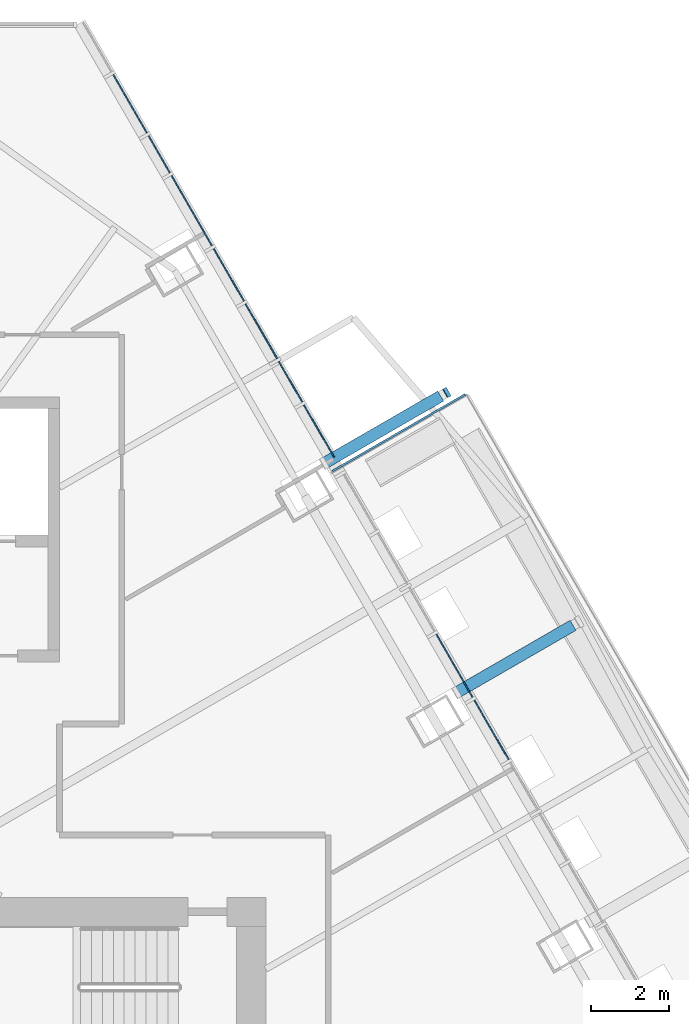
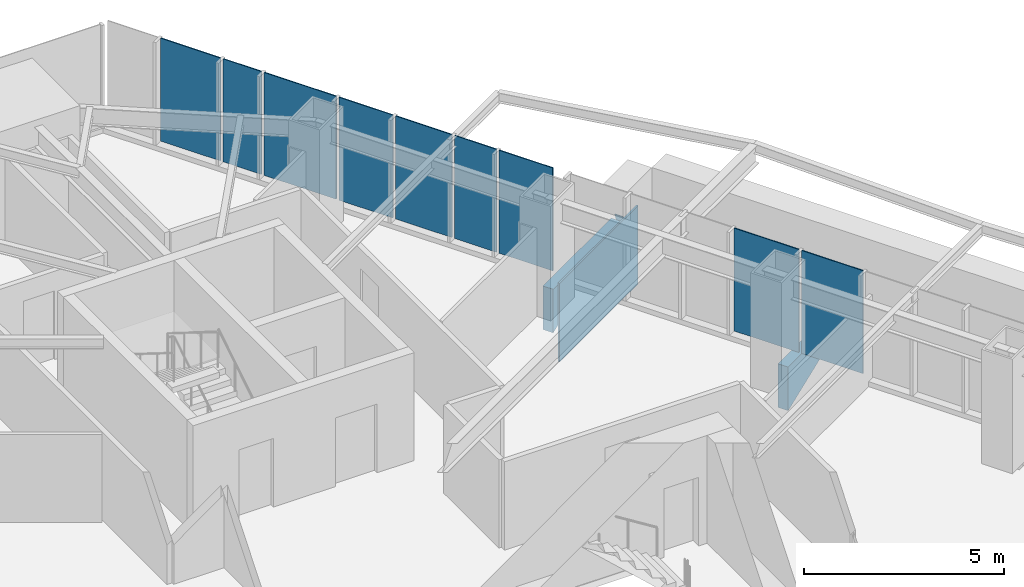
# One storey, part 9 of 17: 13 plates, 1 element without a shape of its own.
"""IFC4 building model written with IfcOpenShell, lengths in metres."""

from ifc_helpers import new_model, si_unit, direction, frame, origin, place, context, subcontext, project, spatial, polyline, outline, extrude, material, layer, layer_set, type_object, element, aggregate, save


model = new_model("IFC4")

# Units and contexts
model_context = context("Model", 3, precision=1e-05, world=origin(), true_north=direction((0.0, 1.0)))
body_context = subcontext(model_context, "Body", "Model", "MODEL_VIEW")
ifc_project = project(units=[si_unit("LENGTHUNIT", "METRE"), si_unit("AREAUNIT", "SQUARE_METRE"), si_unit("VOLUMEUNIT", "CUBIC_METRE"), si_unit("PLANEANGLEUNIT", "RADIAN"), si_unit("MASSUNIT", "GRAM", prefix="KILO")], contexts=[model_context])

# Site, building, storey
site_placement = place(None, origin())
site = spatial("IfcSite", under=ifc_project, at=site_placement, CompositionType="ELEMENT")
building_placement = place(site_placement, origin())
building = spatial("IfcBuilding", under=site, at=building_placement, Name="Firuza Gate Tower and Library", CompositionType="ELEMENT")
storey_placement = place(building_placement, frame((0.0, 0.0, 263.60009765625)))
storey = spatial("IfcBuildingStorey", under=building, at=storey_placement, Name="L62", CompositionType="ELEMENT", Elevation=263.60009765625)

# Curtain wall, plates
ifc_material_1 = material(Name="Aluminium 6063-T6", Category="aluminium")
ifc_layer_1 = layer(ifc_material_1, 0.14990234375)
ifc_layer_set_1 = layer_set([ifc_layer_1], Name="Unitised curtain wall, residences")
curtain_wall_type = type_object("IfcCurtainWallType", Name="Unitised curtain wall, residences", PredefinedType="NOTDEFINED", material=ifc_layer_set_1)
curtain_wall_placement = place(storey_placement, origin())
curtain_wall = element("IfcCurtainWall", 1, at=curtain_wall_placement, inside=storey, type_object=curtain_wall_type, Name="CW3 L62 E face", PredefinedType="NOTDEFINED")
ifc_material_2 = material(Name="Fritted glass", Category="glass")
ifc_layer_2 = layer(ifc_material_2, 0.030029296875)
ifc_layer_set_2 = layer_set([ifc_layer_2], Name="Fritted glass unit, residences")
plate_type_1 = type_object("IfcPlateType", Name="Fritted glass unit, residences", PredefinedType="CURTAIN_PANEL", material=ifc_layer_set_2)
plate_1_placement = place(storey_placement, frame((89.750732421875, 85.29248046875, 0.14990234375), z_axis=(0.865992557167, 0.500056887695, 0.0), x_axis=(-0.500056887695, 0.865992557167, 0.0)))
plate_1 = element("IfcPlate", 2, at=plate_1_placement, type_object=plate_type_1, Name="Glass unit", PredefinedType="CURTAIN_PANEL", context=body_context, shape_type="SweptSolid", body=[
    extrude(outline(polyline([(0.0, 0.0), (1.7693299437957317, 0.0), (1.7693299437957317, 3.14990234375), (0.0, 3.14990234375), (0.0, 0.0)])), origin(), (0.0, 0.0, -1.0), 0.030029296875),
])
plate_2_placement = place(storey_placement, frame((88.826171875, 86.89404296875, 0.14990234375), z_axis=(0.866014233227, 0.500019347474, 0.0), x_axis=(-0.500019347474, 0.866014233227, 0.0)))
plate_2 = element("IfcPlate", 3, at=plate_2_placement, type_object=plate_type_1, Name="Glass unit", PredefinedType="CURTAIN_PANEL", context=body_context, shape_type="SweptSolid", body=[
    extrude(outline(polyline([(0.0, 0.0), (1.8744391874215642, 0.0), (1.8744391874215642, 3.149902343750001), (0.0, 3.149902343750001), (0.0, 0.0)])), origin(), (0.0, 0.0, -1.0), 0.030029296875),
])
plate_3_placement = place(storey_placement, frame((85.264404296875, 93.063232421875, 0.14990234375), z_axis=(0.866025664929, 0.499999547685, 0.0), x_axis=(-0.499999547685, 0.866025664929, 0.0)))
plate_3 = element("IfcPlate", 4, at=plate_3_placement, type_object=plate_type_1, Name="Glass unit", PredefinedType="CURTAIN_PANEL", context=body_context, shape_type="SweptSolid", body=[
    extrude(outline(polyline([(0.0, 0.0), (1.5507826528855135, 0.0), (1.5507826528855135, 3.14990234375), (0.0, 3.14990234375), (0.0, 0.0)])), origin(), (0.0, 0.0, -1.0), 0.030029296875),
])
plate_4_placement = place(storey_placement, frame((82.95068359375, 97.0703125, 0.14990234375), z_axis=(0.866086524807, 0.499894120338, 0.0), x_axis=(-0.499894120338, 0.866086524807, 0.0)))
plate_4 = element("IfcPlate", 5, at=plate_4_placement, type_object=plate_type_1, Name="Glass unit", PredefinedType="CURTAIN_PANEL", context=body_context, shape_type="SweptSolid", body=[
    extrude(outline(polyline([(0.0, 0.0), (1.55941225133523, 0.0), (1.55941225133523, 3.149902343750001), (0.0, 3.149902343750001), (0.0, 0.0)])), origin(), (0.0, 0.0, -1.0), 0.030029296875),
])
plate_5_placement = place(storey_placement, frame((82.131103515625, 98.490234375, 0.14990234375), z_axis=(0.865992460177, 0.50005705566, 0.0), x_axis=(-0.50005705566, 0.865992460177, 0.0)))
plate_5 = element("IfcPlate", 6, at=plate_5_placement, type_object=plate_type_1, Name="Glass unit", PredefinedType="CURTAIN_PANEL", context=body_context, shape_type="SweptSolid", body=[
    extrude(outline(polyline([(0.0, 0.0), (2.0842348214615205, 0.0), (2.0842348214615205, 3.14990234375), (0.0, 3.14990234375), (0.0, 0.0)])), origin(), (0.0, 0.0, -1.0), 0.030029296875),
])
ifc_material_3 = material(Name="Glazed ceramic tile")
ifc_layer_3 = layer(ifc_material_3, 0.030029296875)
ifc_layer_set_3 = layer_set([ifc_layer_3], Name="Opaque ceramic panel, residences")
plate_type_2 = type_object("IfcPlateType", Name="Opaque ceramic panel, residences", PredefinedType="CURTAIN_PANEL", material=ifc_layer_set_3)
plate_6_placement = place(storey_placement, frame((84.448974609375, 94.4755859375, 0.14990234375), z_axis=(0.865983690264, 0.500072242978, 0.0), x_axis=(-0.500072242978, 0.865983690264, 0.0)))
plate_6 = element("IfcPlate", 7, at=plate_6_placement, type_object=plate_type_2, Name="Opaque ceramic panel", PredefinedType="CURTAIN_PANEL", context=body_context, shape_type="SweptSolid", body=[
    extrude(outline(polyline([(0.0, 0.0), (1.2083215082620369, 0.0), (1.2083215082620369, 3.14990234375), (0.0, 3.14990234375), (0.0, 0.0)])), origin(), (0.0, 0.0, -1.0), 0.030029296875),
])
plate_7_placement = place(storey_placement, frame((83.8046875, 95.591064453125, 0.14990234375), z_axis=(0.866075728337, 0.499912825186, 0.0), x_axis=(-0.499912825186, 0.866075728337, 0.0)))
plate_7 = element("IfcPlate", 8, at=plate_7_placement, type_object=plate_type_2, Name="Opaque ceramic panel", PredefinedType="CURTAIN_PANEL", context=body_context, shape_type="SweptSolid", body=[
    extrude(outline(polyline([(0.0, 0.0), (1.628213565928937, 0.0), (1.628213565928937, 3.14990234375), (0.0, 3.14990234375), (0.0, 0.0)])), origin(), (0.0, 0.0, -1.0), 0.030029296875),
])
plate_8_placement = place(storey_placement, frame((81.048828125, 100.364501953125, 0.14990234375), z_axis=(0.86609715799, 0.49987569747, 0.0), x_axis=(-0.49987569747, 0.86609715799, 0.0)))
plate_8 = element("IfcPlate", 9, at=plate_8_placement, type_object=plate_type_2, Name="Opaque ceramic panel", PredefinedType="CURTAIN_PANEL", context=body_context, shape_type="SweptSolid", body=[
    extrude(outline(polyline([(0.0, 0.0), (1.1033016301168894, 0.0), (1.1033016301168894, 3.14990234375), (0.0, 3.14990234375), (0.0, 0.0)])), origin(), (0.0, 0.0, -1.0), 0.030029296875),
])
plate_9_placement = place(storey_placement, frame((80.457275390625, 101.38916015625, 0.14990234375), z_axis=(0.866058917387, 0.499941948244, 0.0), x_axis=(-0.499941948244, 0.866058917387, 0.0)))
plate_9 = element("IfcPlate", 10, at=plate_9_placement, type_object=plate_type_2, Name="Opaque ceramic panel", PredefinedType="CURTAIN_PANEL", context=body_context, shape_type="SweptSolid", body=[
    extrude(outline(polyline([(0.0, 0.0), (1.7331113765661212, 0.0), (1.7331113765661212, 3.149902343750001), (0.0, 3.149902343750001), (0.0, 0.0)])), origin(), (0.0, 0.0, -1.0), 0.030029296875),
])
aggregate(curtain_wall, [plate_1, plate_2, plate_3, plate_6, plate_7, plate_4, plate_5, plate_8, plate_9])

# Plates
ifc_material_4 = material(Name="Steel S355", Category="steel")
ifc_layer_4 = layer(ifc_material_4, 0.02001953125)
ifc_layer_set_4 = layer_set([ifc_layer_4], Name="Strut end plate 254x254x20 Steel S355")
plate_type_3 = type_object("IfcPlateType", Name="Strut end plate 254x254x20 Steel S355", PredefinedType="SHEET", material=ifc_layer_set_4)
plate_10_placement = place(storey_placement, frame((88.177978515625, 94.5859375, -0.14453125), z_axis=(0.806901125776, 0.466139884535, 0.362800470323), x_axis=(-0.500174117741, 0.865924842088, -0.000140703284)))
element("IfcPlate", 11, at=plate_10_placement, inside=storey, type_object=plate_type_3, Name="Strut end plate L62 col:L61:E5", PredefinedType="SHEET", context=body_context, shape_type="SweptSolid", body=[
    extrude(outline(polyline([(0.0, 0.0), (0.2539767636587726, -1.3877787807814457e-17), (0.2541572749510669, -0.2538308005755046), (5.839847058015976e-05, -0.2539075153038704), (0.0, 0.0)])), origin(), (0.0, 0.0, -1.0), 0.02001953125),
])
ifc_material_5 = material(Name="Steel S355", Category="steel")
ifc_layer_5 = layer(ifc_material_5, 0.300048828125)
ifc_layer_set_5 = layer_set([ifc_layer_5], Name="Tray bracket web 300 Steel S355")
plate_type_4 = type_object("IfcPlateType", Name="Tray bracket web 300 Steel S355", PredefinedType="SHEET", material=ifc_layer_set_5)
plate_11_placement = place(storey_placement, frame((88.345947265625, 87.15087890625, -0.2001953125), z_axis=(-0.500081895979, 0.865978115955, 0.0), x_axis=(0.865978115955, 0.500081895979, 0.0)))
element("IfcPlate", 12, at=plate_11_placement, inside=storey, type_object=plate_type_4, Name="Tray bracket web L62 col:L61:E4", PredefinedType="SHEET", context=body_context, shape_type="SweptSolid", body=[
    extrude(outline(polyline([(0.0, 0.0), (3.429614038049955, 0.0), (0.0, 1.333984375), (0.0, 0.0)])), origin(), (0.0, 0.0, -1.0), 0.300048828125),
])
plate_12_placement = place(storey_placement, frame((84.946044921875, 93.0400390625, -0.2001953125), z_axis=(-0.49981490623, 0.866132241352, 0.0), x_axis=(0.866132241352, 0.49981490623, 0.0)))
element("IfcPlate", 13, at=plate_12_placement, inside=storey, type_object=plate_type_4, Name="Tray bracket web L62 col:L61:E5", PredefinedType="SHEET", context=body_context, shape_type="SweptSolid", body=[
    extrude(outline(polyline([(0.0, 0.0), (3.4290037494598873, 0.0), (0.0, 1.333984375), (0.0, 0.0)])), origin(), (0.0, 0.0, -1.0), 0.300048828125),
])
ifc_material_6 = material(Name="Aluminium 6063-T6", Category="aluminium")
ifc_layer_6 = layer(ifc_material_6, 0.050048828125)
ifc_layer_set_6 = layer_set([ifc_layer_6], Name="Tray fascia panel 50")
plate_type_5 = type_object("IfcPlateType", Name="Tray fascia panel 50", PredefinedType="SHEET", material=ifc_layer_set_6)
plate_13_placement = place(storey_placement, frame((88.610107421875, 94.68896484375, -2.400146484375), z_axis=(-0.499890491397, 0.866088619375, 0.0), x_axis=(-0.866088619375, -0.499890491397, 0.0)))
element("IfcPlate", 14, at=plate_13_placement, inside=storey, type_object=plate_type_5, Name="Tray fascia L62 4", PredefinedType="SHEET", context=body_context, shape_type="SweptSolid", body=[
    extrude(outline(polyline([(0.0, 0.0), (3.9408045102403975, 0.0), (3.9408045102403975, 2.400146484375), (0.0, 2.400146484375), (0.0, 0.0)])), origin(), (0.0, 0.0, -1.0), 0.050048828125),
])

save(model, "model.ifc")
